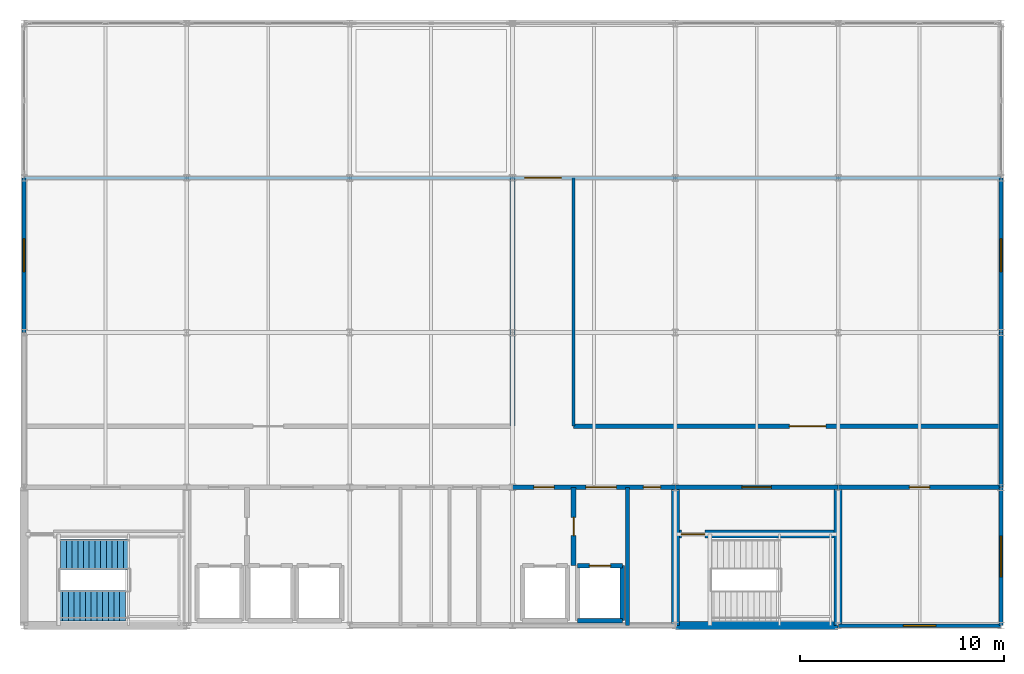
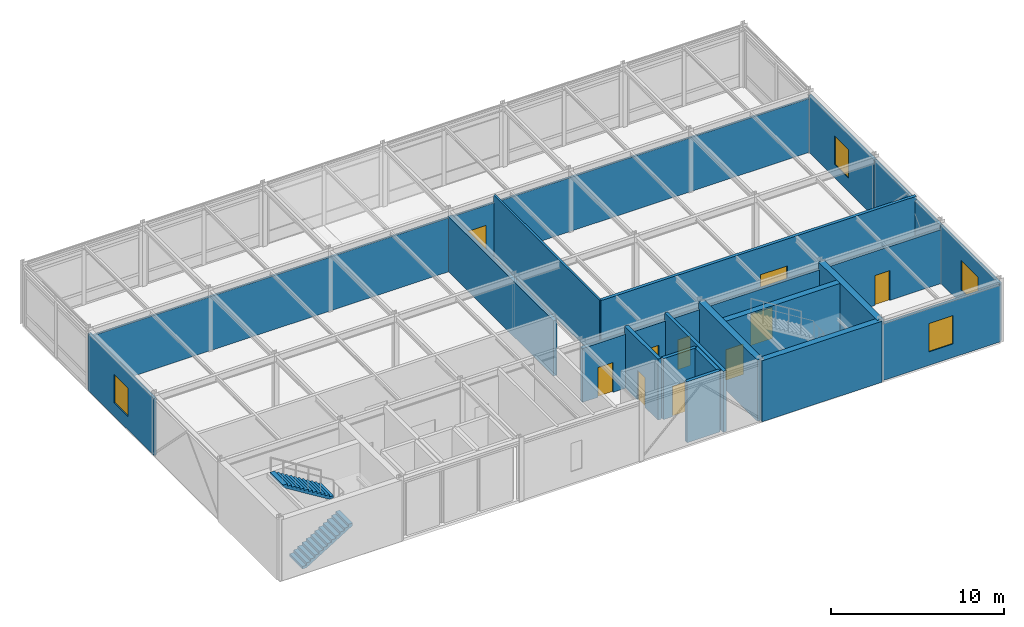
# One storey, part 10 of 12: 21 walls, 10 doors, 4 windows, 2 stair flights, 14 openings, 1 element without a shape of its own.
"""IFC4 building model written with IfcOpenShell, lengths in metres."""

from ifc_helpers import new_model, si_unit, direction, frame, frame_2d, origin, place, context, subcontext, project, spatial, polyline, rectangle, outline, extrude, material, layer, layer_set, type_object, element, fill, aggregate, save


model = new_model("IFC4")

# Units and contexts
model_context = context("Model", 3, precision=1e-05, world=origin(), true_north=direction((0.0, 1.0)))
body_context = subcontext(model_context, "Body", "Model", "MODEL_VIEW")
ifc_project = project(units=[si_unit("LENGTHUNIT", "METRE"), si_unit("AREAUNIT", "SQUARE_METRE"), si_unit("VOLUMEUNIT", "CUBIC_METRE"), si_unit("PLANEANGLEUNIT", "RADIAN"), si_unit("MASSUNIT", "GRAM", prefix="KILO")], contexts=[model_context])

# Site, building, storey
site_placement = place(None, origin())
site = spatial("IfcSite", under=ifc_project, at=site_placement, CompositionType="ELEMENT")
building_placement = place(site_placement, origin())
building = spatial("IfcBuilding", under=site, at=building_placement, Name="Shalkamar Park Central Library", CompositionType="ELEMENT")
storey_placement = place(building_placement, frame((0.0, 0.0, 67.800048828125)))
storey = spatial("IfcBuildingStorey", under=building, at=storey_placement, Name="L17", CompositionType="ELEMENT", Elevation=67.800048828125)

# Wall
ifc_material_1 = material(Name="Acoustic insulated reading partition", Category="masonry")
ifc_layer_1 = layer(ifc_material_1, 0.139892578125)
ifc_layer_set_1 = layer_set([ifc_layer_1], Name="AcousticPartition_140")
wall_type_1 = type_object("IfcWallType", Name="Acoustic Partition 140", PredefinedType="PARTITIONING", material=ifc_layer_set_1)
wall_1_placement = place(storey_placement, frame((192.0, 258.199951171875, 0.0), z_axis=(0.0, 0.0, 1.0), x_axis=(0.0, 1.0, 0.0)))
element("IfcWall", 1, at=wall_1_placement, inside=storey, type_object=wall_type_1, Name="Interior Partition WL-INT-L17-014", PredefinedType="PARTITIONING", context=body_context, shape_type="SweptSolid", body=[
    extrude(rectangle(XDim=12.199951171875, YDim=0.139892578125, at=frame_2d((6.10009765625, 0.0))), origin(), (0.0, 0.0, 1.0), 4.300048828125),
])

# Wall, opening, door
wall_2_placement = place(storey_placement, frame((165.0, 270.39990234375, 0.0), z_axis=(0.0, 0.0, 1.0), x_axis=(1.0, 0.0, 0.0)))
wall_2 = element("IfcWall", 2, at=wall_2_placement, inside=storey, type_object=wall_type_1, Name="Interior Partition WL-INT-L17-015", PredefinedType="PARTITIONING", context=body_context, shape_type="SweptSolid", body=[
    extrude(rectangle(XDim=48.0, YDim=0.139892578125, at=frame_2d((24.0, 0.0))), origin(), (0.0, 0.0, 1.0), 3.7978515625),
])
opening_1_placement = place(wall_2_placement, frame((24.60009765625, 0.0, 0.0)))
opening_1 = element("IfcOpeningElement", 3, at=opening_1_placement, cuts=wall_2, Name="Opening DR-L17-015", PredefinedType="OPENING", context=body_context, shape_type="SweptSolid", body=[
    extrude(rectangle(XDim=1.800048828125, YDim=2.39990234375, at=frame_2d((0.89990234375, 1.199951171875))), frame((0.0, 0.0849609375, 0.0), z_axis=(0.0, -1.0, 0.0), x_axis=(1.0, 0.0, 0.0)), (0.0, 0.0, 1.0), 0.169677734375),
])
ifc_material_2 = material(Name="Steel S355", Category="steel")
door_type_1 = type_object("IfcDoorType", Name="Interior Door Double 1800x2400", OperationType="DOUBLE_DOOR_SINGLE_SWING", PredefinedType="DOOR", material=ifc_material_2)
door_1_placement = place(opening_1_placement, origin())
door_1 = element("IfcDoor", 4, at=door_1_placement, inside=storey, type_object=door_type_1, Name="L17 Panoramic Reading Gallery Door", OperationType="DOUBLE_DOOR_SINGLE_SWING", OverallHeight=2.39990234375, OverallWidth=1.800048828125, PredefinedType="DOOR", context=body_context, shape_type="SweptSolid", body=[
    extrude(rectangle(XDim=1.800048828125, YDim=2.39990234375, at=frame_2d((0.89990234375, 1.199951171875))), frame((0.0, 0.02490234375, 0.0), z_axis=(0.0, -1.0, 0.0), x_axis=(1.0, 0.0, 0.0)), (0.0, 0.0, 1.0), 0.050048828125),
])
fill(opening_1, door_1)

ifc_material_3 = material(Name="Reinforced fire-compartment masonry wall", Category="masonry")
ifc_layer_2 = layer(ifc_material_3, 0.239990234375)
ifc_layer_set_2 = layer_set([ifc_layer_2], Name="CompartmentWall_240")
wall_type_2 = type_object("IfcWallType", Name="Compartment Wall 240", PredefinedType="PARTITIONING", material=ifc_layer_set_2)
wall_3_placement = place(storey_placement, frame((192.0, 251.35009765625, 0.0), z_axis=(0.0, 0.0, 1.0), x_axis=(0.0, 1.0, 0.0)))
wall_3 = element("IfcWall", 5, at=wall_3_placement, inside=storey, type_object=wall_type_2, Name="Interior Partition WL-INT-L17-002", PredefinedType="PARTITIONING", context=body_context, shape_type="SweptSolid", body=[
    extrude(rectangle(XDim=3.849853515625, YDim=0.239990234375, at=frame_2d((1.9248046875, 0.0))), origin(), (0.0, 0.0, 1.0), 4.300048828125),
])
opening_2_placement = place(wall_3_placement, frame((1.47509765625, 0.0, 0.0)))
opening_2 = element("IfcOpeningElement", 6, at=opening_2_placement, cuts=wall_3, Name="Opening DR-L17-002", PredefinedType="OPENING", context=body_context, shape_type="SweptSolid", body=[
    extrude(rectangle(XDim=0.89990234375, YDim=2.10009765625, at=frame_2d((0.449951171875, 1.050048828125))), frame((0.0, 0.134765625, 0.0), z_axis=(0.0, -1.0, 0.0), x_axis=(1.0, 0.0, 0.0)), (0.0, 0.0, 1.0), 0.269775390625),
])
door_type_2 = type_object("IfcDoorType", Name="Fire Door Single 900x2100", OperationType="NOTDEFINED", PredefinedType="DOOR", material=ifc_material_2)
door_2_placement = place(opening_2_placement, origin())
door_2 = element("IfcDoor", 7, at=door_2_placement, inside=storey, type_object=door_type_2, Name="Fire Lobby Interconnect Door", OperationType="SINGLE_SWING_LEFT", OverallHeight=2.10009765625, OverallWidth=0.89990234375, PredefinedType="DOOR", context=body_context, shape_type="SweptSolid", body=[
    extrude(rectangle(XDim=0.89990234375, YDim=2.10009765625, at=frame_2d((0.449951171875, 1.050048828125))), frame((0.0, 0.02490234375, 0.0), z_axis=(0.0, -1.0, 0.0), x_axis=(1.0, 0.0, 0.0)), (0.0, 0.0, 1.0), 0.050048828125),
])
fill(opening_2, door_2)

# Wall, openings, doors
wall_4_placement = place(storey_placement, frame((189.0, 255.199951171875, 0.0), z_axis=(0.0, 0.0, 1.0), x_axis=(1.0, 0.0, 0.0)))
wall_4 = element("IfcWall", 8, at=wall_4_placement, inside=storey, type_object=wall_type_2, Name="Interior Partition WL-INT-L17-009", PredefinedType="PARTITIONING", context=body_context, shape_type="SweptSolid", body=[
    extrude(rectangle(XDim=8.0, YDim=0.239990234375, at=frame_2d((4.0, 0.0))), origin(), (0.0, 0.0, 1.0), 3.7978515625),
])
opening_3_placement = place(wall_4_placement, frame((1.050048828125, 0.0, 0.0)))
opening_3 = element("IfcOpeningElement", 9, at=opening_3_placement, cuts=wall_4, Name="Opening DR-L17-009", PredefinedType="OPENING", context=body_context, shape_type="SweptSolid", body=[
    extrude(rectangle(XDim=1.0, YDim=2.10009765625, at=frame_2d((0.5, 1.050048828125))), frame((0.0, 0.134765625, 0.0), z_axis=(0.0, -1.0, 0.0), x_axis=(1.0, 0.0, 0.0)), (0.0, 0.0, 1.0), 0.269775390625),
])
opening_4_placement = place(wall_4_placement, frame((3.60009765625, 0.0, 0.0)))
opening_4 = element("IfcOpeningElement", 10, at=opening_4_placement, cuts=wall_4, Name="Opening DR-L17-010", PredefinedType="OPENING", context=body_context, shape_type="SweptSolid", body=[
    extrude(rectangle(XDim=1.5, YDim=2.25, at=frame_2d((0.75, 1.125))), frame((0.0, 0.134765625, 0.0), z_axis=(0.0, -1.0, 0.0), x_axis=(1.0, 0.0, 0.0)), (0.0, 0.0, 1.0), 0.269775390625),
])
opening_5_placement = place(wall_4_placement, frame((6.425048828125, 0.0, 0.0)))
opening_5 = element("IfcOpeningElement", 11, at=opening_5_placement, cuts=wall_4, Name="Opening DR-L17-011", PredefinedType="OPENING", context=body_context, shape_type="SweptSolid", body=[
    extrude(rectangle(XDim=0.85009765625, YDim=2.10009765625, at=frame_2d((0.425048828125, 1.050048828125))), frame((0.0, 0.134765625, 0.0), z_axis=(0.0, -1.0, 0.0), x_axis=(1.0, 0.0, 0.0)), (0.0, 0.0, 1.0), 0.269775390625),
])
door_type_3 = type_object("IfcDoorType", Name="Fire Door Riser 850x2100", OperationType="NOTDEFINED", PredefinedType="DOOR", material=ifc_material_2)
door_3_placement = place(opening_5_placement, frame((0.85009765625, 0.0, 0.0), z_axis=(0.0, 0.0, 1.0), x_axis=(-1.0, 0.0, 0.0)))
door_3 = element("IfcDoor", 12, at=door_3_placement, inside=storey, type_object=door_type_3, Name="Mechanical Riser Access Door", OperationType="SINGLE_SWING_LEFT", OverallHeight=2.10009765625, OverallWidth=0.85009765625, PredefinedType="DOOR", context=body_context, shape_type="SweptSolid", body=[
    extrude(rectangle(XDim=0.85009765625, YDim=2.10009765625, at=frame_2d((0.425048828125, 1.050048828125))), frame((0.0, 0.02490234375, 0.0), z_axis=(0.0, -1.0, 0.0), x_axis=(1.0, 0.0, 0.0)), (0.0, 0.0, 1.0), 0.050048828125),
])
fill(opening_5, door_3)
door_type_4 = type_object("IfcDoorType", Name="Fire Door Single 1000x2100", OperationType="NOTDEFINED", PredefinedType="DOOR", material=ifc_material_2)
door_4_placement = place(opening_3_placement, frame((1.0, 0.0, 0.0), z_axis=(0.0, 0.0, 1.0), x_axis=(-1.0, 0.0, 0.0)))
door_4 = element("IfcDoor", 13, at=door_4_placement, inside=storey, type_object=door_type_4, Name="East Firefighting Lobby Door", OperationType="SINGLE_SWING_RIGHT", OverallHeight=2.10009765625, OverallWidth=1.0, PredefinedType="DOOR", context=body_context, shape_type="SweptSolid", body=[
    extrude(rectangle(XDim=1.0, YDim=2.10009765625, at=frame_2d((0.5, 1.050048828125))), frame((0.0, 0.02490234375, 0.0), z_axis=(0.0, -1.0, 0.0), x_axis=(1.0, 0.0, 0.0)), (0.0, 0.0, 1.0), 0.050048828125),
])
fill(opening_3, door_4)
door_type_5 = type_object("IfcDoorType", Name="Interior Door Double 1500x2250", OperationType="DOUBLE_DOOR_SINGLE_SWING", PredefinedType="DOOR", material=ifc_material_2)
door_5_placement = place(opening_4_placement, frame((1.5, 0.0, 0.0), z_axis=(0.0, 0.0, 1.0), x_axis=(-1.0, 0.0, 0.0)))
door_5 = element("IfcDoor", 14, at=door_5_placement, inside=storey, type_object=door_type_5, Name="East Lift Lobby Entrance", OperationType="DOUBLE_DOOR_SINGLE_SWING", OverallHeight=2.25, OverallWidth=1.5, PredefinedType="DOOR", context=body_context, shape_type="SweptSolid", body=[
    extrude(rectangle(XDim=1.5, YDim=2.25, at=frame_2d((0.75, 1.125))), frame((0.0, 0.02490234375, 0.0), z_axis=(0.0, -1.0, 0.0), x_axis=(1.0, 0.0, 0.0)), (0.0, 0.0, 1.0), 0.050048828125),
])
fill(opening_4, door_5)

# Wall
wall_5_placement = place(storey_placement, frame((189.0, 258.199951171875, 0.0), z_axis=(0.0, 0.0, 1.0), x_axis=(0.0, 1.0, 0.0)))
element("IfcWall", 15, at=wall_5_placement, inside=storey, type_object=wall_type_2, Name="Interior Partition WL-INT-L17-013", PredefinedType="PARTITIONING", context=body_context, shape_type="SweptSolid", body=[
    extrude(rectangle(XDim=12.199951171875, YDim=0.239990234375, at=frame_2d((6.10009765625, 0.0))), origin(), (0.0, 0.0, 1.0), 3.89794921875),
])

# Wall, opening, door
ifc_material_4 = material(Name="Fire-rated corridor partition wall", Category="masonry")
ifc_layer_3 = layer(ifc_material_4, 0.199951171875)
ifc_layer_set_3 = layer_set([ifc_layer_3], Name="CorridorFireWall_200")
wall_type_3 = type_object("IfcWallType", Name="Corridor Fire Wall 200", PredefinedType="PARTITIONING", material=ifc_layer_set_3)
wall_6_placement = place(storey_placement, frame((197.0, 255.199951171875, 0.0), z_axis=(0.0, 0.0, 1.0), x_axis=(1.0, 0.0, 0.0)))
wall_6 = element("IfcWall", 16, at=wall_6_placement, inside=storey, type_object=wall_type_3, Name="CORE-T2 Vestibule North Wall (L17)", PredefinedType="PARTITIONING", context=body_context, shape_type="SweptSolid", body=[
    extrude(rectangle(XDim=8.0, YDim=0.199951171875, at=frame_2d((4.0, 0.0))), origin(), (0.0, 0.0, 1.0), 3.7978515625),
])
opening_6_placement = place(wall_6_placement, frame((3.27490234375, 0.0, 0.0)))
opening_6 = element("IfcOpeningElement", 17, at=opening_6_placement, cuts=wall_6, Name="Opening DR-ST-T2-L17-VEST", PredefinedType="OPENING", context=body_context, shape_type="SweptSolid", body=[
    extrude(rectangle(XDim=1.449951171875, YDim=2.199951171875, at=frame_2d((0.72509765625, 1.10009765625))), frame((0.0, 0.11474609375, 0.0), z_axis=(0.0, -1.0, 0.0), x_axis=(1.0, 0.0, 0.0)), (0.0, 0.0, 1.0), 0.229736328125),
])
door_type_6 = type_object("IfcDoorType", Name="Stair Vestibule Door 1450x2200", OperationType="DOUBLE_DOOR_SINGLE_SWING", PredefinedType="DOOR", material=ifc_material_2)
door_6_placement = place(opening_6_placement, frame((1.449951171875, 0.0, 0.0), z_axis=(0.0, 0.0, 1.0), x_axis=(-1.0, 0.0, 0.0)))
door_6 = element("IfcDoor", 18, at=door_6_placement, inside=storey, type_object=door_type_6, Name="Protected Stair ST-T2 Vestibule Door (L17)", OperationType="DOUBLE_DOOR_SINGLE_SWING", OverallHeight=2.199951171875, OverallWidth=1.449951171875, PredefinedType="DOOR", context=body_context, shape_type="SweptSolid", body=[
    extrude(rectangle(XDim=1.449951171875, YDim=2.199951171875, at=frame_2d((0.72509765625, 1.10009765625))), frame((0.0, 0.02490234375, 0.0), z_axis=(0.0, -1.0, 0.0), x_axis=(1.0, 0.0, 0.0)), (0.0, 0.0, 1.0), 0.050048828125),
])
fill(opening_6, door_6)

wall_7_placement = place(storey_placement, frame((205.0, 255.199951171875, 0.0), z_axis=(0.0, 0.0, 1.0), x_axis=(1.0, 0.0, 0.0)))
wall_7 = element("IfcWall", 19, at=wall_7_placement, inside=storey, type_object=wall_type_3, Name="Interior Partition WL-INT-L17-010", PredefinedType="PARTITIONING", context=body_context, shape_type="SweptSolid", body=[
    extrude(rectangle(XDim=8.0, YDim=0.199951171875, at=frame_2d((4.0, 0.0))), origin(), (0.0, 0.0, 1.0), 3.7978515625),
])
opening_7_placement = place(wall_7_placement, frame((3.5, 0.0, 0.0)))
opening_7 = element("IfcOpeningElement", 20, at=opening_7_placement, cuts=wall_7, Name="Opening DR-L17-012", PredefinedType="OPENING", context=body_context, shape_type="SweptSolid", body=[
    extrude(rectangle(XDim=1.0, YDim=2.10009765625, at=frame_2d((0.5, 1.050048828125))), frame((0.0, 0.11474609375, 0.0), z_axis=(0.0, -1.0, 0.0), x_axis=(1.0, 0.0, 0.0)), (0.0, 0.0, 1.0), 0.229736328125),
])
door_type_7 = type_object("IfcDoorType", Name="Interior Door Single 1000x2100", OperationType="NOTDEFINED", PredefinedType="DOOR", material=ifc_material_2)
door_7_placement = place(opening_7_placement, frame((1.0, 0.0, 0.0), z_axis=(0.0, 0.0, 1.0), x_axis=(-1.0, 0.0, 0.0)))
door_7 = element("IfcDoor", 21, at=door_7_placement, inside=storey, type_object=door_type_7, Name="L17 Chief Curator Office Door", OperationType="SINGLE_SWING_LEFT", OverallHeight=2.10009765625, OverallWidth=1.0, PredefinedType="DOOR", context=body_context, shape_type="SweptSolid", body=[
    extrude(rectangle(XDim=1.0, YDim=2.10009765625, at=frame_2d((0.5, 1.050048828125))), frame((0.0, 0.02490234375, 0.0), z_axis=(0.0, -1.0, 0.0), x_axis=(1.0, 0.0, 0.0)), (0.0, 0.0, 1.0), 0.050048828125),
])
fill(opening_7, door_7)

wall_8_placement = place(storey_placement, frame((192.0, 258.199951171875, 0.0), z_axis=(0.0, 0.0, 1.0), x_axis=(1.0, 0.0, 0.0)))
wall_8 = element("IfcWall", 22, at=wall_8_placement, inside=storey, type_object=wall_type_3, Name="Interior Partition WL-INT-L17-012", PredefinedType="PARTITIONING", context=body_context, shape_type="SweptSolid", body=[
    extrude(rectangle(XDim=21.0, YDim=0.199951171875, at=frame_2d((10.5, 0.0))), origin(), (0.0, 0.0, 1.0), 4.300048828125),
])
opening_8_placement = place(wall_8_placement, frame((10.60009765625, 0.0, 0.0)))
opening_8 = element("IfcOpeningElement", 23, at=opening_8_placement, cuts=wall_8, Name="Opening DR-L17-014", PredefinedType="OPENING", context=body_context, shape_type="SweptSolid", body=[
    extrude(rectangle(XDim=1.800048828125, YDim=2.39990234375, at=frame_2d((0.89990234375, 1.199951171875))), frame((0.0, 0.11474609375, 0.0), z_axis=(0.0, -1.0, 0.0), x_axis=(1.0, 0.0, 0.0)), (0.0, 0.0, 1.0), 0.229736328125),
])
door_8_placement = place(opening_8_placement, origin())
door_8 = element("IfcDoor", 24, at=door_8_placement, inside=storey, type_object=door_type_1, Name="L17 Special Collections Reading Door", OperationType="DOUBLE_DOOR_SINGLE_SWING", OverallHeight=2.39990234375, OverallWidth=1.800048828125, PredefinedType="DOOR", context=body_context, shape_type="SweptSolid", body=[
    extrude(rectangle(XDim=1.800048828125, YDim=2.39990234375, at=frame_2d((0.89990234375, 1.199951171875))), frame((0.0, 0.02490234375, 0.0), z_axis=(0.0, -1.0, 0.0), x_axis=(1.0, 0.0, 0.0)), (0.0, 0.0, 1.0), 0.050048828125),
])
fill(opening_8, door_8)

# Walls
ifc_material_5 = material(Name="Concrete C40/50", Category="concrete")
ifc_layer_4 = layer(ifc_material_5, 0.219970703125)
ifc_layer_set_4 = layer_set([ifc_layer_4], Name="Concrete C40/50")
wall_type_4 = type_object("IfcWallType", Name="Lift Hoistway Shear Wall 220", PredefinedType="SHEAR", material=ifc_layer_set_4)
wall_9_placement = place(storey_placement, frame((192.199951171875, 248.64990234375, 0.0), z_axis=(0.0, 0.0, 1.0), x_axis=(1.0, 0.0, 0.0)))
element("IfcWall", 25, at=wall_9_placement, inside=storey, type_object=wall_type_4, Name="Lift LT-03 Hoistway South Wall (L17)", PredefinedType="SHEAR", context=body_context, shape_type="SweptSolid", body=[
    extrude(rectangle(XDim=2.199951171875, YDim=0.219970703125, at=frame_2d((1.10009765625, 0.0))), origin(), (0.0, 0.0, 1.0), 4.300048828125),
])
wall_10_placement = place(storey_placement, frame((194.39990234375, 248.64990234375, 0.0), z_axis=(0.0, 0.0, 1.0), x_axis=(0.0, 1.0, 0.0)))
element("IfcWall", 26, at=wall_10_placement, inside=storey, type_object=wall_type_4, Name="Lift LT-03 Hoistway East Wall (L17)", PredefinedType="SHEAR", context=body_context, shape_type="SweptSolid", body=[
    extrude(rectangle(XDim=2.7001953125, YDim=0.219970703125, at=frame_2d((1.35009765625, 0.0))), origin(), (0.0, 0.0, 1.0), 4.300048828125),
])

# Wall, opening, door
wall_11_placement = place(storey_placement, frame((192.199951171875, 251.35009765625, 0.0), z_axis=(0.0, 0.0, 1.0), x_axis=(1.0, 0.0, 0.0)))
wall_11 = element("IfcWall", 27, at=wall_11_placement, inside=storey, type_object=wall_type_4, Name="Lift LT-03 Hoistway Front Wall (L17)", PredefinedType="SHEAR", context=body_context, shape_type="SweptSolid", body=[
    extrude(rectangle(XDim=2.199951171875, YDim=0.219970703125, at=frame_2d((1.10009765625, 0.0))), origin(), (0.0, 0.0, 1.0), 4.300048828125),
])
opening_9_placement = place(wall_11_placement, frame((0.574951171875, 0.0, 0.0)))
opening_9 = element("IfcOpeningElement", 28, at=opening_9_placement, cuts=wall_11, Name="Opening LD-LT-03-L17", PredefinedType="OPENING", context=body_context, shape_type="SweptSolid", body=[
    extrude(rectangle(XDim=1.050048828125, YDim=2.14990234375, at=frame_2d((0.52490234375, 1.074951171875))), frame((0.0, 0.125, 0.0), z_axis=(0.0, -1.0, 0.0), x_axis=(1.0, 0.0, 0.0)), (0.0, 0.0, 1.0), 0.249755859375),
])
door_type_8 = type_object("IfcDoorType", Name="Passenger Lift Landing Door 1050x2150", OperationType="DOUBLE_DOOR_SLIDING", PredefinedType="USERDEFINED", material=ifc_material_2)
door_9_placement = place(opening_9_placement, origin())
door_9 = element("IfcDoor", 29, at=door_9_placement, inside=storey, type_object=door_type_8, Name="Lift LT-03 Sliding Landing Door (L17)", ObjectType="SLIDING LANDING DOOR", OperationType="DOUBLE_DOOR_SLIDING", OverallHeight=2.14990234375, OverallWidth=1.050048828125, PredefinedType="USERDEFINED", context=body_context, shape_type="SweptSolid", body=[
    extrude(rectangle(XDim=1.050048828125, YDim=2.14990234375, at=frame_2d((0.52490234375, 1.074951171875))), frame((0.0, 0.02490234375, 0.0), z_axis=(0.0, -1.0, 0.0), x_axis=(1.0, 0.0, 0.0)), (0.0, 0.0, 1.0), 0.050048828125),
])
fill(opening_9, door_9)

# Walls
ifc_material_6 = material(Name="Fire-rated shaft enclosure wall", Category="masonry")
ifc_layer_5 = layer(ifc_material_6, 0.219970703125)
ifc_layer_set_5 = layer_set([ifc_layer_5], Name="ShaftWall_220")
wall_type_5 = type_object("IfcWallType", Name="Shaft Wall 220", PredefinedType="PARTITIONING", material=ifc_layer_set_5)
wall_12_placement = place(storey_placement, frame((194.64990234375, 248.39990234375, 0.0), z_axis=(0.0, 0.0, 1.0), x_axis=(0.0, 1.0, 0.0)))
element("IfcWall", 30, at=wall_12_placement, inside=storey, type_object=wall_type_5, Name="Interior Partition WL-INT-L17-003", PredefinedType="PARTITIONING", context=body_context, shape_type="SweptSolid", body=[
    extrude(rectangle(XDim=6.800048828125, YDim=0.219970703125, at=frame_2d((3.39990234375, 0.0))), origin(), (0.0, 0.0, 1.0), 4.300048828125),
])
ifc_layer_6 = layer(ifc_material_5, 0.39990234375)
ifc_layer_set_6 = layer_set([ifc_layer_6], Name="Concrete C40/50")
wall_type_6 = type_object("IfcWallType", Name="Tower Core Shear Wall 400", PredefinedType="SHEAR", material=ifc_layer_set_6)
wall_13_placement = place(storey_placement, frame((197.0, 248.39990234375, 0.0), z_axis=(0.0, 0.0, 1.0), x_axis=(1.0, 0.0, 0.0)))
element("IfcWall", 31, at=wall_13_placement, inside=storey, type_object=wall_type_6, Name="CORE-T2 South Shear Wall (L17)", PredefinedType="SHEAR", context=body_context, shape_type="SweptSolid", body=[
    extrude(rectangle(XDim=8.0, YDim=0.39990234375, at=frame_2d((4.0, 0.0))), origin(), (0.0, 0.0, 1.0), 4.300048828125),
])
for number, where, z_axis, x_axis, name in (
    (32, (197.0, 248.39990234375, 0.0), (0.0, 0.0, 1.0), (0.0, 1.0, 0.0), "CORE-T2 West Shear Wall (L17)"),
    (33, (205.0, 248.39990234375, 0.0), (0.0, 0.0, 1.0), (0.0, 1.0, 0.0), "CORE-T2 East Shear Wall (L17)"),
):
    element("IfcWall", number, at=place(storey_placement, frame(where, z_axis=z_axis, x_axis=x_axis)), inside=storey, type_object=wall_type_6, Name=name, PredefinedType="SHEAR", context=body_context, shape_type="SweptSolid", body=[
        extrude(rectangle(XDim=6.800048828125, YDim=0.39990234375, at=frame_2d((3.39990234375, 0.0))), origin(), (0.0, 0.0, 1.0), 4.300048828125),
    ])

# Wall, opening, door
wall_14_placement = place(storey_placement, frame((197.0, 252.89990234375, 0.0), z_axis=(0.0, 0.0, 1.0), x_axis=(1.0, 0.0, 0.0)))
wall_14 = element("IfcWall", 34, at=wall_14_placement, inside=storey, type_object=wall_type_6, Name="CORE-T2 Stairwell Wall (L17)", PredefinedType="SHEAR", context=body_context, shape_type="SweptSolid", body=[
    extrude(rectangle(XDim=8.0, YDim=0.39990234375, at=frame_2d((4.0, 0.0))), origin(), (0.0, 0.0, 1.0), 4.300048828125),
])
opening_10_placement = place(wall_14_placement, frame((0.300048828125, 0.0, 0.0)))
opening_10 = element("IfcOpeningElement", 35, at=opening_10_placement, cuts=wall_14, Name="Opening DR-ST-T2-L17-IN", PredefinedType="OPENING", context=body_context, shape_type="SweptSolid", body=[
    extrude(rectangle(XDim=1.14990234375, YDim=2.14990234375, at=frame_2d((0.574951171875, 1.074951171875))), frame((0.0, 0.21484375, 0.0), z_axis=(0.0, -1.0, 0.0), x_axis=(1.0, 0.0, 0.0)), (0.0, 0.0, 1.0), 0.4296875),
])
door_type_9 = type_object("IfcDoorType", Name="Stair Core Exit Door 1150x2150", OperationType="NOTDEFINED", PredefinedType="DOOR", material=ifc_material_2)
door_10_placement = place(opening_10_placement, frame((1.14990234375, 0.0, 0.0), z_axis=(0.0, 0.0, 1.0), x_axis=(-1.0, 0.0, 0.0)))
door_10 = element("IfcDoor", 36, at=door_10_placement, inside=storey, type_object=door_type_9, Name="Protected Stair ST-T2 Exit Door (L17)", OperationType="SINGLE_SWING_RIGHT", OverallHeight=2.14990234375, OverallWidth=1.14990234375, PredefinedType="DOOR", context=body_context, shape_type="SweptSolid", body=[
    extrude(rectangle(XDim=1.14990234375, YDim=2.14990234375, at=frame_2d((0.574951171875, 1.074951171875))), frame((0.0, 0.02490234375, 0.0), z_axis=(0.0, -1.0, 0.0), x_axis=(1.0, 0.0, 0.0)), (0.0, 0.0, 1.0), 0.050048828125),
])
fill(opening_10, door_10)

# Wall, opening, window
ifc_material_7 = material(Name="Terracotta insulated wall panel", Category="masonry")
ifc_layer_7 = layer(ifc_material_7, 0.179931640625)
ifc_layer_set_7 = layer_set([ifc_layer_7], Name="TowerSpandrelWall_180")
wall_type_7 = type_object("IfcWallType", Name="Tower Spandrel Wall 180", PredefinedType="SOLIDWALL", material=ifc_layer_set_7)
wall_15_placement = place(storey_placement, frame((205.006103515625, 248.39990234375, 0.0), z_axis=(0.0, 0.0, 1.0), x_axis=(1.0, 0.0, 0.0)))
wall_15 = element("IfcWall", 37, at=wall_15_placement, inside=storey, type_object=wall_type_7, Name="Exterior Facade Wall WL-EXT-L17-288", PredefinedType="SOLIDWALL", context=body_context, shape_type="SweptSolid", body=[
    extrude(rectangle(XDim=7.98779296875, YDim=0.179931640625, at=frame_2d((3.993896484375, 0.0))), origin(), (0.0, 0.0, 1.0), 3.988037109375),
])
opening_11_placement = place(wall_15_placement, frame((3.194091796875, 0.0, 0.949951171875)))
opening_11 = element("IfcOpeningElement", 38, at=opening_11_placement, cuts=wall_15, Name="Opening WN-13", PredefinedType="OPENING", context=body_context, shape_type="SweptSolid", body=[
    extrude(rectangle(XDim=1.60009765625, YDim=2.0, at=frame_2d((0.800048828125, 1.0))), frame((0.0, 0.10498046875, 0.0), z_axis=(0.0, -1.0, 0.0), x_axis=(1.0, 0.0, 0.0)), (0.0, 0.0, 1.0), 0.209716796875),
])
ifc_material_8 = material(Name="Thermally broken aluminium and triple low-e glass", Category="glass")
window_type_1 = type_object("IfcWindowType", Name="Tower Window 1600x2000", PartitioningType="SINGLE_PANEL", PredefinedType="WINDOW", material=ifc_material_8)
window_1_placement = place(opening_11_placement, origin())
window_1 = element("IfcWindow", 39, at=window_1_placement, inside=storey, type_object=window_type_1, Name="Facade Window WN-L17-212", OverallHeight=2.0, OverallWidth=1.60009765625, PartitioningType="SINGLE_PANEL", PredefinedType="WINDOW", context=body_context, shape_type="SweptSolid", body=[
    extrude(rectangle(XDim=1.60009765625, YDim=2.0, at=frame_2d((0.800048828125, 1.0))), frame((0.0, 0.030029296875, 0.0), z_axis=(0.0, -1.0, 0.0), x_axis=(1.0, 0.0, 0.0)), (0.0, 0.0, 1.0), 0.06005859375),
])
fill(opening_11, window_1)

wall_16_placement = place(storey_placement, frame((165.0, 262.805908203125, 0.0), z_axis=(0.0, 0.0, 1.0), x_axis=(0.0, 1.0, 0.0)))
wall_16 = element("IfcWall", 40, at=wall_16_placement, inside=storey, type_object=wall_type_7, Name="Exterior Facade Wall WL-EXT-L17-290", PredefinedType="SOLIDWALL", context=body_context, shape_type="SweptSolid", body=[
    extrude(rectangle(XDim=7.588134765625, YDim=0.179931640625, at=frame_2d((3.7939453125, 0.0))), origin(), (0.0, 0.0, 1.0), 4.02783203125),
])
opening_12_placement = place(wall_16_placement, frame((2.993896484375, 0.0, 0.949951171875)))
opening_12 = element("IfcOpeningElement", 41, at=opening_12_placement, cuts=wall_16, Name="Opening WN-13", PredefinedType="OPENING", context=body_context, shape_type="SweptSolid", body=[
    extrude(rectangle(XDim=1.60009765625, YDim=2.0, at=frame_2d((0.800048828125, 1.0))), frame((0.0, 0.10498046875, 0.0), z_axis=(0.0, -1.0, 0.0), x_axis=(1.0, 0.0, 0.0)), (0.0, 0.0, 1.0), 0.209716796875),
])
window_2_placement = place(opening_12_placement, origin())
window_2 = element("IfcWindow", 42, at=window_2_placement, inside=storey, type_object=window_type_1, Name="Facade Window WN-L17-213", OverallHeight=2.0, OverallWidth=1.60009765625, PartitioningType="SINGLE_PANEL", PredefinedType="WINDOW", context=body_context, shape_type="SweptSolid", body=[
    extrude(rectangle(XDim=1.60009765625, YDim=2.0, at=frame_2d((0.800048828125, 1.0))), frame((0.0, 0.030029296875, 0.0), z_axis=(0.0, -1.0, 0.0), x_axis=(1.0, 0.0, 0.0)), (0.0, 0.0, 1.0), 0.06005859375),
])
fill(opening_12, window_2)

wall_17_placement = place(storey_placement, frame((213.0, 248.406005859375, 0.0), z_axis=(0.0, 0.0, 1.0), x_axis=(0.0, 1.0, 0.0)))
wall_17 = element("IfcWall", 43, at=wall_17_placement, inside=storey, type_object=wall_type_7, Name="Exterior Facade Wall WL-EXT-L17-291", PredefinedType="SOLIDWALL", context=body_context, shape_type="SweptSolid", body=[
    extrude(rectangle(XDim=6.7880859375, YDim=0.179931640625, at=frame_2d((3.39404296875, 0.0))), origin(), (0.0, 0.0, 1.0), 4.06787109375),
])
opening_13_placement = place(wall_17_placement, frame((2.39404296875, 0.0, 0.949951171875)))
opening_13 = element("IfcOpeningElement", 44, at=opening_13_placement, cuts=wall_17, Name="Opening WN-11", PredefinedType="OPENING", context=body_context, shape_type="SweptSolid", body=[
    extrude(rectangle(XDim=2.0, YDim=2.10009765625, at=frame_2d((1.0, 1.050048828125))), frame((0.0, 0.10498046875, 0.0), z_axis=(0.0, -1.0, 0.0), x_axis=(1.0, 0.0, 0.0)), (0.0, 0.0, 1.0), 0.209716796875),
])
window_type_2 = type_object("IfcWindowType", Name="Tower Window 2000x2100", PartitioningType="DOUBLE_PANEL_VERTICAL", PredefinedType="WINDOW", material=ifc_material_8)
window_3_placement = place(opening_13_placement, origin())
window_3 = element("IfcWindow", 45, at=window_3_placement, inside=storey, type_object=window_type_2, Name="Facade Window WN-L17-214", OverallHeight=2.10009765625, OverallWidth=2.0, PartitioningType="DOUBLE_PANEL_VERTICAL", PredefinedType="WINDOW", context=body_context, shape_type="SweptSolid", body=[
    extrude(rectangle(XDim=2.0, YDim=2.10009765625, at=frame_2d((1.0, 1.050048828125))), frame((0.0, 0.030029296875, 0.0), z_axis=(0.0, -1.0, 0.0), x_axis=(1.0, 0.0, 0.0)), (0.0, 0.0, 1.0), 0.06005859375),
])
fill(opening_13, window_3)

# Wall
wall_18_placement = place(storey_placement, frame((213.0, 255.2060546875, 0.0), z_axis=(0.0, 0.0, 1.0), x_axis=(0.0, 1.0, 0.0)))
element("IfcWall", 46, at=wall_18_placement, inside=storey, type_object=wall_type_7, Name="Exterior Facade Wall WL-EXT-L17-292", PredefinedType="SOLIDWALL", context=body_context, shape_type="SweptSolid", body=[
    extrude(rectangle(XDim=7.587890625, YDim=0.179931640625, at=frame_2d((3.7939453125, 0.0))), origin(), (0.0, 0.0, 1.0), 4.02783203125),
])

# Wall, opening, window
wall_19_placement = place(storey_placement, frame((213.0, 262.805908203125, 0.0), z_axis=(0.0, 0.0, 1.0), x_axis=(0.0, 1.0, 0.0)))
wall_19 = element("IfcWall", 47, at=wall_19_placement, inside=storey, type_object=wall_type_7, Name="Exterior Facade Wall WL-EXT-L17-293", PredefinedType="SOLIDWALL", context=body_context, shape_type="SweptSolid", body=[
    extrude(rectangle(XDim=7.588134765625, YDim=0.179931640625, at=frame_2d((3.7939453125, 0.0))), origin(), (0.0, 0.0, 1.0), 4.02783203125),
])
opening_14_placement = place(wall_19_placement, frame((2.993896484375, 0.0, 0.949951171875)))
opening_14 = element("IfcOpeningElement", 48, at=opening_14_placement, cuts=wall_19, Name="Opening WN-13", PredefinedType="OPENING", context=body_context, shape_type="SweptSolid", body=[
    extrude(rectangle(XDim=1.60009765625, YDim=2.0, at=frame_2d((0.800048828125, 1.0))), frame((0.0, 0.10498046875, 0.0), z_axis=(0.0, -1.0, 0.0), x_axis=(1.0, 0.0, 0.0)), (0.0, 0.0, 1.0), 0.209716796875),
])
window_4_placement = place(opening_14_placement, origin())
window_4 = element("IfcWindow", 49, at=window_4_placement, inside=storey, type_object=window_type_1, Name="Facade Window WN-L17-215", OverallHeight=2.0, OverallWidth=1.60009765625, PartitioningType="SINGLE_PANEL", PredefinedType="WINDOW", context=body_context, shape_type="SweptSolid", body=[
    extrude(rectangle(XDim=1.60009765625, YDim=2.0, at=frame_2d((0.800048828125, 1.0))), frame((0.0, 0.030029296875, 0.0), z_axis=(0.0, -1.0, 0.0), x_axis=(1.0, 0.0, 0.0)), (0.0, 0.0, 1.0), 0.06005859375),
])
fill(opening_14, window_4)

# Stair, stair flights
ifc_material_9 = material(Name="Concrete C35/45", Category="concrete")
stair_type = type_object("IfcStairType", Name="Protected Dog Leg Stair 150x450", PredefinedType="TWO_STRAIGHT_RUN_STAIR", material=ifc_material_9)
stair_placement = place(storey_placement, origin())
stair = element("IfcStair", 50, at=stair_placement, inside=storey, type_object=stair_type, Name="Protected Core Stair ST-T1-L17", PredefinedType="TWO_STRAIGHT_RUN_STAIR")
stair_flight_type = type_object("IfcStairFlightType", Name="Straight Stair Flight 150x450", PredefinedType="STRAIGHT", material=ifc_material_9)
stair_flight_1_placement = place(storey_placement, frame((166.6201171875, 249.389892578125, 0.0), z_axis=(0.0, 0.0, 1.0), x_axis=(1.0, 0.0, 0.0)))
stair_flight_1 = element("IfcStairFlight", 51, at=stair_flight_1_placement, type_object=stair_flight_type, Name="ST-T1-L17 flight 1", NumberOfRisers=13, NumberOfTreads=12, PredefinedType="STRAIGHT", RiserHeight=0.173077, TreadLength=0.28, context=body_context, shape_type="SweptSolid", body=[
    extrude(outline(polyline([(0.0, 0.0), (0.0, 0.173095703125), (0.280029296875, 0.173095703125), (0.280029296875, 0.34619140625), (0.56005859375, 0.34619140625), (0.56005859375, 0.519287109375), (0.840087890625, 0.519287109375), (0.840087890625, 0.6923828125), (1.1201171875, 0.6923828125), (1.1201171875, 0.865478515625), (1.39990234375, 0.865478515625), (1.39990234375, 1.03857421875), (1.679931640625, 1.03857421875), (1.679931640625, 1.21142578125), (1.9599609375, 1.21142578125), (1.9599609375, 1.384521484375), (2.239990234375, 1.384521484375), (2.239990234375, 1.5576171875), (2.52001953125, 1.5576171875), (2.52001953125, 1.730712890625), (2.800048828125, 1.730712890625), (2.800048828125, 1.90380859375), (3.080078125, 1.90380859375), (3.080078125, 2.076904296875), (3.360107421875, 2.076904296875), (3.360107421875, 2.25), (3.360107421875, 1.900634765625), (0.28515625, 0.0), (0.0, 0.0)])), frame((0.0, 0.75, 0.0), z_axis=(0.0, -1.0, 0.0), x_axis=(1.0, 0.0, 0.0)), (0.0, 0.0, 1.0), 1.5),
])
stair_flight_2_placement = place(storey_placement, frame((170.159912109375, 251.909912109375, 2.25), z_axis=(0.0, 0.0, 1.0), x_axis=(-1.0, 0.0, 0.0)))
stair_flight_2 = element("IfcStairFlight", 52, at=stair_flight_2_placement, type_object=stair_flight_type, Name="ST-T1-L17 flight 2", NumberOfRisers=13, NumberOfTreads=12, PredefinedType="STRAIGHT", RiserHeight=0.173077, TreadLength=0.28, context=body_context, shape_type="SweptSolid", body=[
    extrude(outline(polyline([(0.0, 0.0), (0.0, 0.173095703125), (0.280029296875, 0.173095703125), (0.280029296875, 0.34619140625), (0.56005859375, 0.34619140625), (0.56005859375, 0.519287109375), (0.840087890625, 0.519287109375), (0.840087890625, 0.6923828125), (1.1201171875, 0.6923828125), (1.1201171875, 0.865478515625), (1.39990234375, 0.865478515625), (1.39990234375, 1.03857421875), (1.679931640625, 1.03857421875), (1.679931640625, 1.21142578125), (1.9599609375, 1.21142578125), (1.9599609375, 1.384521484375), (2.239990234375, 1.384521484375), (2.239990234375, 1.5576171875), (2.52001953125, 1.5576171875), (2.52001953125, 1.730712890625), (2.800048828125, 1.730712890625), (2.800048828125, 1.90380859375), (3.080078125, 1.90380859375), (3.080078125, 2.076904296875), (3.360107421875, 2.076904296875), (3.360107421875, 2.25), (3.360107421875, 1.900634765625), (0.28515625, 0.0), (0.0, 0.0)])), frame((0.0, 0.75, 0.0), z_axis=(0.0, -1.0, 0.0), x_axis=(1.0, 0.0, 0.0)), (0.0, 0.0, 1.0), 1.5),
])
aggregate(stair, [stair_flight_1, stair_flight_2])

save(model, "model.ifc")
